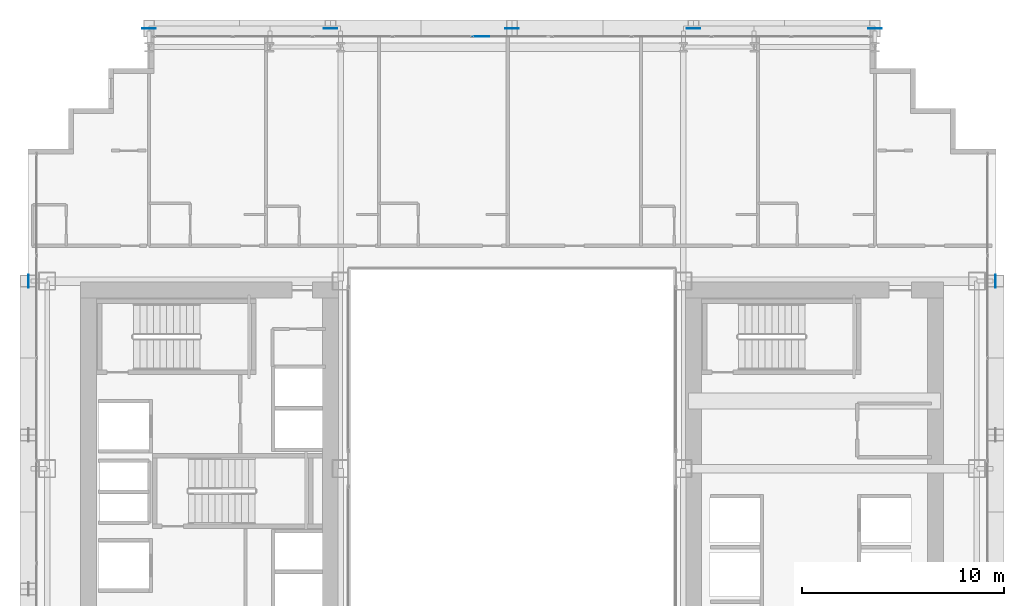
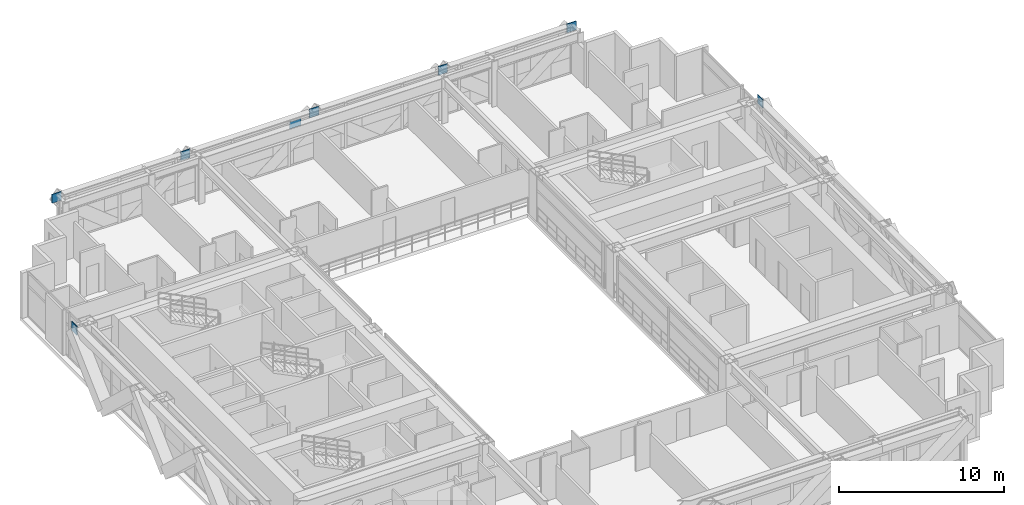
# One storey, part 32 of 41: 8 plates, 1 element without a shape of its own.
"""IFC4 building model written with IfcOpenShell, lengths in metres."""

import ifcopenshell
import ifcopenshell.guid

model = None  # the IFC model being written
_history = None  # IfcOwnerHistory: only IFC2X3 demands one
_inside = {}  # id of a spatial element -> (the spatial element, [elements in it])
_under = {}  # id of a project, library or spatial element -> (it, [spatial elements below it])
_declared = {}  # id of a project -> (the project, [libraries it declares])
_typed = {}  # id of a type object -> (the type object, [elements of that type])
_made_of = {}  # id of a material, layer set ... -> (it, [elements and type objects made of it])


def new_model(schema):
    """Start an empty IFC model of exactly this schema.

    Asked for "IFC4X3", IfcOpenShell would pick the latest addendum, in which some entities
    have other attributes; the version numbers below select the first issue.
    IFC2X3 requires an IfcOwnerHistory on every rooted entity: one is made here for all.
    """
    global model, _history
    if schema == "IFC4X3":
        model = ifcopenshell.file(schema_version=(4, 3, 0, 0))
    else:
        model = ifcopenshell.file(schema=schema)
    _inside.clear()
    _under.clear()
    _declared.clear()
    _typed.clear()
    _made_of.clear()
    _history = None
    if model.schema == "IFC2X3":
        org = make("IfcOrganization", Name="unknown")
        user = make(
            "IfcPersonAndOrganization",
            ThePerson=make("IfcPerson", FamilyName="unknown"),
            TheOrganization=org,
        )
        app = make(
            "IfcApplication",
            ApplicationDeveloper=org,
            Version="unknown",
            ApplicationFullName="unknown",
            ApplicationIdentifier="unknown",
        )
        _history = make(
            "IfcOwnerHistory",
            OwningUser=user,
            OwningApplication=app,
            ChangeAction="ADDED",
            CreationDate=0,
        )
    return model


def make(cls, **values):
    """One entity of the class cls with the attributes given. An attribute that is None is left unset."""
    return model.create_entity(
        cls, **{name: value for name, value in values.items() if value is not None}
    )


def rooted(cls, **values):
    """An entity with a GlobalId (a new one), such as an element, a storey or a relation."""
    return make(cls, GlobalId=ifcopenshell.guid.new(), OwnerHistory=_history, **values)


def si_unit(unit_type, name, prefix=None):
    """IfcSIUnit, for example si_unit("LENGTHUNIT", "METRE", prefix="MILLI")."""
    return make("IfcSIUnit", UnitType=unit_type, Prefix=prefix, Name=name)


def assignment(units):
    """IfcUnitAssignment: the units of a project."""
    return None if units is None else make("IfcUnitAssignment", Units=units)


def point(xyz):
    """IfcCartesianPoint."""
    return None if xyz is None else make("IfcCartesianPoint", Coordinates=xyz)


def direction(xyz):
    """IfcDirection."""
    return None if xyz is None else make("IfcDirection", DirectionRatios=xyz)


def frame(location, z_axis=None, x_axis=None):
    """IfcAxis2Placement3D, a coordinate frame: its origin and axes. An axis left out is left unset."""
    return make(
        "IfcAxis2Placement3D",
        Location=point(location),
        Axis=direction(z_axis),
        RefDirection=direction(x_axis),
    )


def frame_2d(location, x_axis=None):
    """IfcAxis2Placement2D, a coordinate frame in the plane: its origin and x axis."""
    return make(
        "IfcAxis2Placement2D", Location=point(location), RefDirection=direction(x_axis)
    )


def origin():
    """The frame at (0, 0, 0) with its axes left unset."""
    return frame((0.0, 0.0, 0.0))


def origin_2d():
    """The frame at (0, 0) in the plane with its x axis left unset."""
    return frame_2d((0.0, 0.0))


def place(relative_to, where):
    """IfcLocalPlacement: puts the frame where relative to a parent placement (None: the world)."""
    return make(
        "IfcLocalPlacement", PlacementRelTo=relative_to, RelativePlacement=where
    )


def context(
    kind, dimensions, precision=None, world=None, true_north=None, identifier=None
):
    """IfcGeometricRepresentationContext, for example the 3D "Model" context."""
    return make(
        "IfcGeometricRepresentationContext",
        ContextIdentifier=identifier,
        ContextType=kind,
        CoordinateSpaceDimension=dimensions,
        Precision=precision,
        WorldCoordinateSystem=world,
        TrueNorth=true_north,
    )


def subcontext(parent, identifier, kind, view, scale=None):
    """IfcGeometricRepresentationSubContext, for example "Body" below "Model"."""
    return make(
        "IfcGeometricRepresentationSubContext",
        ContextIdentifier=identifier,
        ContextType=kind,
        ParentContext=parent,
        TargetScale=scale,
        TargetView=view,
    )


def project(units=None, contexts=None):
    """IfcProject with its units and contexts."""
    return rooted(
        "IfcProject",
        Name="project",
        RepresentationContexts=contexts,
        UnitsInContext=assignment(units),
    )


def spatial(cls, under=None, at=None, **own):
    """A site, building, storey or space (cls), placed at a placement, below another one or the project."""
    s = rooted(cls, ObjectPlacement=at, **own)
    if under is not None:
        _under.setdefault(under.id(), (under, []))[1].append(s)
    return s


def profile(cls, at=None, kind="AREA", **sizes):
    """A parametric profile (cls). Its sizes go by their IFC names, for example OverallWidth=200.0."""
    return make(cls, ProfileType=kind, Position=at, **sizes)


def rectangle(**sizes):
    """IfcRectangleProfileDef."""
    return profile("IfcRectangleProfileDef", **sizes)


def extrude(swept, where, along, depth):
    """IfcExtrudedAreaSolid: the profile swept, set in the frame where, extruded along a direction by depth."""
    return make(
        "IfcExtrudedAreaSolid",
        SweptArea=swept,
        Position=where,
        ExtrudedDirection=direction(along),
        Depth=depth,
    )


def shape(context_of_items, identifier, shape_type, items):
    """IfcShapeRepresentation: the items that make up one representation, for example the "Body"."""
    return make(
        "IfcShapeRepresentation",
        ContextOfItems=context_of_items,
        RepresentationIdentifier=identifier,
        RepresentationType=shape_type,
        Items=items,
    )


def source(mapping_origin, context_of_items, identifier, shape_type, items):
    """IfcRepresentationMap: a shape defined once, which mapped items show again and again."""
    return make(
        "IfcRepresentationMap",
        MappingOrigin=mapping_origin,
        MappedRepresentation=shape(context_of_items, identifier, shape_type, items),
    )


def transform(
    local_origin,
    x_axis=None,
    y_axis=None,
    z_axis=None,
    scale=None,
    scale2=None,
    scale3=None,
    uniform=True,
):
    """IfcCartesianTransformationOperator3D, or its non-uniform kind. x_axis, y_axis, z_axis: its Axis1, 2, 3."""
    if uniform:
        return make(
            "IfcCartesianTransformationOperator3D",
            Axis1=direction(x_axis),
            Axis2=direction(y_axis),
            LocalOrigin=point(local_origin),
            Scale=scale,
            Axis3=direction(z_axis),
        )
    return make(
        "IfcCartesianTransformationOperator3DnonUniform",
        Axis1=direction(x_axis),
        Axis2=direction(y_axis),
        LocalOrigin=point(local_origin),
        Scale=scale,
        Axis3=direction(z_axis),
        Scale2=scale2,
        Scale3=scale3,
    )


def mapped(mapping_source, mapping_target):
    """IfcMappedItem: shows the shape of a source again, moved by a transform."""
    return make(
        "IfcMappedItem", MappingSource=mapping_source, MappingTarget=mapping_target
    )


def material(Name=None, Category=None):
    """IfcMaterial."""
    return make("IfcMaterial", Name=Name, Category=Category)


def layer(
    of_material, thickness, ventilated=None, Name=None, Category=None, Priority=None
):
    """IfcMaterialLayer: one layer of a wall or slab, of a material (None: an air gap)."""
    return make(
        "IfcMaterialLayer",
        Material=of_material,
        LayerThickness=thickness,
        IsVentilated=ventilated,
        Name=Name,
        Category=Category,
        Priority=Priority,
    )


def layer_set(layers, Name=None):
    """IfcMaterialLayerSet."""
    return make("IfcMaterialLayerSet", MaterialLayers=layers, LayerSetName=Name)


def made_of(thing, what):
    """Note that an element or type object is made of a material, layer set ...; save() writes the relation."""
    if what is not None:
        _made_of.setdefault(what.id(), (what, []))[1].append(thing)
    return thing


def type_object(cls, material=None, **own):
    """A type object (cls), such as IfcWallType, which elements share."""
    return made_of(rooted(cls, **own), material)


def element(
    cls,
    number,
    at=None,
    inside=None,
    cuts=None,
    type_object=None,
    material=None,
    context=None,
    identifier="Body",
    shape_type=None,
    held_by="IfcProductDefinitionShape",
    body=None,
    shapes=None,
    **own,
):
    """One element of the class cls, such as IfcWall. Its Tag is "e" and its number.

    at: its placement. inside: the storey or other place that contains it. cuts: it is an
    opening in that element (IfcRelVoidsElement). A single representation is given by context,
    identifier, shape_type and body (its items); several are given by shapes. held_by: the class
    of the entity that holds the representations. save() writes the other relations.
    """
    e = rooted(cls, Tag="e%d" % number, ObjectPlacement=at, **own)
    if body is not None:
        shapes = [shape(context, identifier, shape_type, body)]
    if shapes is not None:
        e.Representation = make(held_by, Representations=shapes)
    if inside is not None:
        _inside.setdefault(inside.id(), (inside, []))[1].append(e)
    if cuts is not None:
        rooted(
            "IfcRelVoidsElement", RelatingBuildingElement=cuts, RelatedOpeningElement=e
        )
    if type_object is not None:
        _typed.setdefault(type_object.id(), (type_object, []))[1].append(e)
    return made_of(e, material)


def aggregate(whole, parts):
    """IfcRelAggregates: a whole, such as a stair, and the parts it consists of."""
    return rooted("IfcRelAggregates", RelatingObject=whole, RelatedObjects=parts)


def save(model, path):
    """Write the relations noted so far, then the file.

    IfcRelAggregates (storeys below a building ...), IfcRelContainedInSpatialStructure (elements
    in a storey), IfcRelDefinesByType, IfcRelAssociatesMaterial and IfcRelDeclares: one each for
    every whole, place, type object, material and project.
    """
    for whole, parts in _under.values():
        aggregate(whole, parts)
    for where, things in _inside.values():
        rooted(
            "IfcRelContainedInSpatialStructure",
            RelatedElements=things,
            RelatingStructure=where,
        )
    for kind, things in _typed.values():
        rooted("IfcRelDefinesByType", RelatedObjects=things, RelatingType=kind)
    for what, things in _made_of.values():
        rooted("IfcRelAssociatesMaterial", RelatedObjects=things, RelatingMaterial=what)
    for by, libraries in _declared.values():
        rooted("IfcRelDeclares", RelatingContext=by, RelatedDefinitions=libraries)
    model.write(path)


model = new_model("IFC4")

# Units and contexts
model_context = context("Model", 3, precision=1e-05, world=origin(), true_north=direction((0.0, 1.0)))
body_context = subcontext(model_context, "Body", "Model", "MODEL_VIEW")
ifc_project = project(units=[si_unit("LENGTHUNIT", "METRE"), si_unit("AREAUNIT", "SQUARE_METRE"), si_unit("VOLUMEUNIT", "CUBIC_METRE"), si_unit("PLANEANGLEUNIT", "RADIAN"), si_unit("MASSUNIT", "GRAM", prefix="KILO")], contexts=[model_context])

# Site, building, storey
site_placement = place(None, origin())
site = spatial("IfcSite", under=ifc_project, at=site_placement, CompositionType="ELEMENT")
building_placement = place(site_placement, origin())
building = spatial("IfcBuilding", under=site, at=building_placement, Name="Ocotamira Hotel", CompositionType="ELEMENT")
storey_placement = place(building_placement, frame((0.0, 0.0, 52.800048828125)))
storey = spatial("IfcBuildingStorey", under=building, at=storey_placement, Name="L12", CompositionType="ELEMENT", Elevation=52.800048828125)

# Plates
ifc_material_1 = material(Name="Pale-metal coated steel ASTM A572 Grade 50", Category="steel")
ifc_layer_1 = layer(ifc_material_1, 0.0400390625)
ifc_layer_set_1 = layer_set([ifc_layer_1], Name="Pale-metal coated steel ASTM A572 Grade 50")
plate_type_1 = type_object("IfcPlateType", Name="PLT-GUSSET-40", PredefinedType="SHEET", material=ifc_layer_set_1)
shared_shape_1 = source(origin(), body_context, "Body", "SweptSolid", [
    extrude(rectangle(XDim=0.64990234375, YDim=0.0400390625, at=origin_2d()), origin(), (0.0, 0.0, 1.0), 0.64990234375),
])
for number, where, z_axis, x_axis, name in (
    (1, (14.0, 49.969970703125, 2.77490234375), (0.0, 0.0, 1.0), (-1.0, 0.0, 0.0), "L12 Exoskeleton Diagrid N0.1 End Gusset B"),
    (2, (23.0, 49.969970703125, 2.77490234375), (0.0, 0.0, 1.0), (1.0, 0.0, 0.0), "L12 Exoskeleton Diagrid N0.2 End Gusset B"),
    (3, (32.0, 49.969970703125, 2.77490234375), (0.0, 0.0, 1.0), (1.0, 0.0, 0.0), "L12 Exoskeleton Diagrid N1.2 End Gusset B"),
    (4, (41.0, 49.969970703125, 2.77490234375), (0.0, 0.0, 1.0), (1.0, 0.0, 0.0), "L12 Exoskeleton Diagrid N2.2 End Gusset B"),
    (5, (50.0, 49.969970703125, 2.77490234375), (0.0, 0.0, 1.0), (1.0, 0.0, 0.0), "L12 Exoskeleton Diagrid N3.2 End Gusset B"),
):
    element("IfcPlate", number, at=place(storey_placement, frame(where, z_axis=z_axis, x_axis=x_axis)), inside=storey, type_object=plate_type_1, Name=name, PredefinedType="SHEET", context=body_context, shape_type="MappedRepresentation", body=[
        mapped(shared_shape_1, transform((0.0, 0.0, 0.0), scale=1.0)),
    ])
shared_shape_2 = source(origin(), body_context, "Body", "SweptSolid", [
    extrude(rectangle(XDim=0.0400390625, YDim=0.64990234375, at=origin_2d()), origin(), (0.0, 0.0, 1.0), 0.64990234375),
])
for number, where, z_axis, x_axis, name in (
    (6, (8.030029296875, 37.449951171875, 2.77490234375), (0.0, 0.0, 1.0), (1.0, 0.0, 0.0), "L12 Exoskeleton Diagrid W2.2 End Gusset B"),
    (7, (55.969970703125, 37.449951171875, 2.77490234375), (0.0, 0.0, 1.0), (1.0, 0.0, 0.0), "L12 Exoskeleton Diagrid E2.2 End Gusset B"),
):
    element("IfcPlate", number, at=place(storey_placement, frame(where, z_axis=z_axis, x_axis=x_axis)), inside=storey, type_object=plate_type_1, Name=name, PredefinedType="SHEET", context=body_context, shape_type="MappedRepresentation", body=[
        mapped(shared_shape_2, transform((0.0, 0.0, 0.0), scale=1.0)),
    ])

# Curtain wall, plate
ifc_material_2 = material(Name="Anodised pale-metal aluminium and solar glass", Category="aluminium")
ifc_layer_2 = layer(ifc_material_2, 0.179931640625)
ifc_layer_set_2 = layer_set([ifc_layer_2], Name="Anodised pale-metal aluminium and solar glass")
curtain_wall_type = type_object("IfcCurtainWallType", Name="CW-SYS2-Z1", PredefinedType="NOTDEFINED", material=ifc_layer_set_2)
curtain_wall_placement = place(storey_placement, origin())
curtain_wall = element("IfcCurtainWall", 8, at=curtain_wall_placement, inside=storey, type_object=curtain_wall_type, Name="L12 Curtain Wall CW-2 CW-L12-N", PredefinedType="NOTDEFINED")
ifc_material_3 = material(Name="Double-silver low-E insulated solar glass", Category="glass")
ifc_layer_3 = layer(ifc_material_3, 0.031982421875)
ifc_layer_set_3 = layer_set([ifc_layer_3], Name="Double-silver low-E insulated solar glass")
plate_type_2 = type_object("IfcPlateType", Name="CWP-VISION-32", PredefinedType="CURTAIN_PANEL", material=ifc_layer_set_3)
shared_shape_3 = source(origin(), body_context, "Body", "SweptSolid", [
    extrude(rectangle(XDim=0.797607421875, YDim=0.031982421875, at=origin_2d()), origin(), (0.0, 0.0, 1.0), 0.5107421875),
])
plate_placement = place(storey_placement, frame((30.461181640625, 49.580078125, 2.76416015625), z_axis=(0.0, 0.0, 1.0), x_axis=(1.0, 0.0, 0.0)))
plate = element("IfcPlate", 9, at=plate_placement, type_object=plate_type_2, Name="CW-2 panel 5.2.1", PredefinedType="CURTAIN_PANEL", context=body_context, shape_type="MappedRepresentation", body=[
    mapped(shared_shape_3, transform((0.0, 0.0, 0.0), scale=1.0)),
])
aggregate(curtain_wall, [plate])

save(model, "model.ifc")
